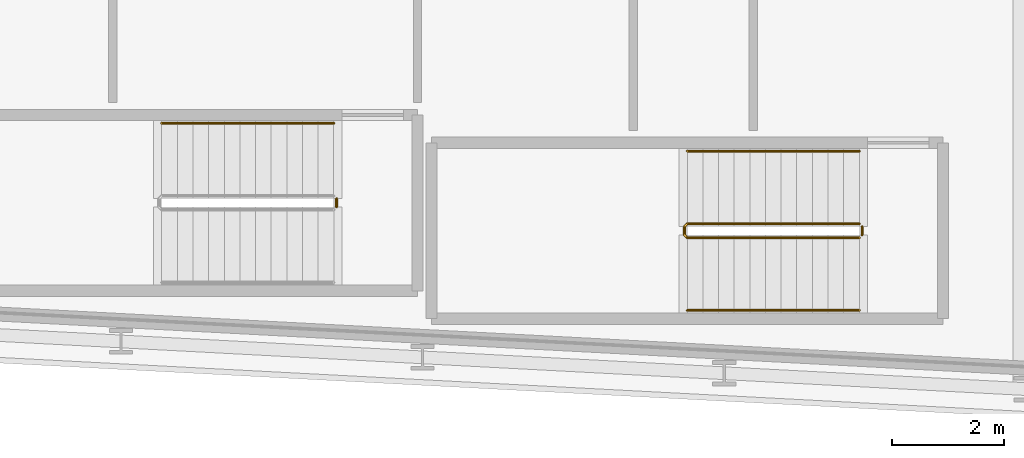
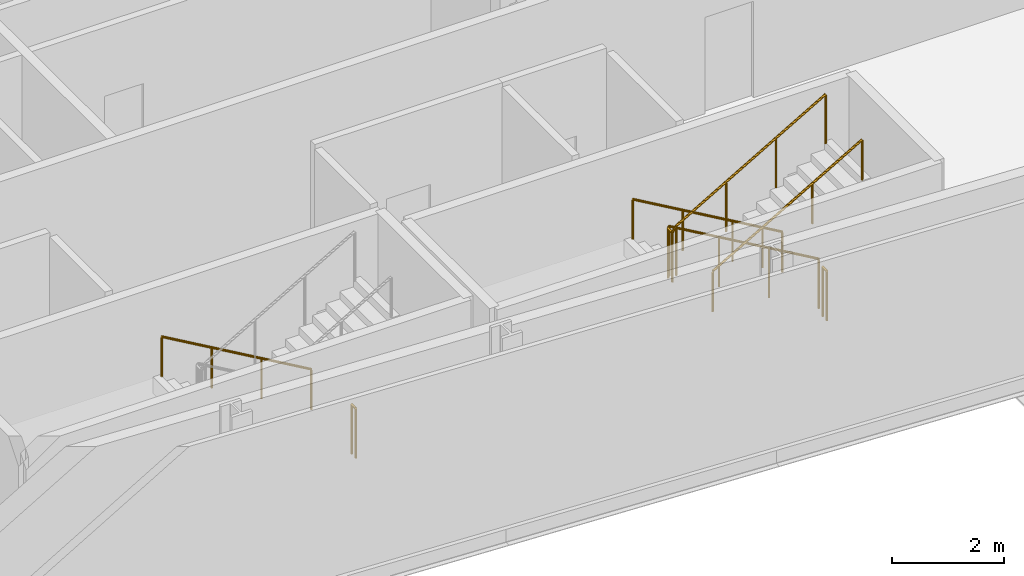
# One storey, part 24 of 27: 6 railings.
"""IFC4 building model written with IfcOpenShell, lengths in metres."""

from ifc_helpers import new_model, si_unit, direction, frame, origin, origin_2d, place, context, subcontext, project, spatial, circle, extrude, material, type_object, element, save


model = new_model("IFC4")

# Units and contexts
model_context = context("Model", 3, precision=1e-05, world=origin(), true_north=direction((0.0, 1.0)))
body_context = subcontext(model_context, "Body", "Model", "MODEL_VIEW")
ifc_project = project(units=[si_unit("LENGTHUNIT", "METRE"), si_unit("AREAUNIT", "SQUARE_METRE"), si_unit("VOLUMEUNIT", "CUBIC_METRE"), si_unit("PLANEANGLEUNIT", "RADIAN"), si_unit("MASSUNIT", "GRAM", prefix="KILO")], contexts=[model_context])

# Site, building, storey
site_placement = place(None, origin())
site = spatial("IfcSite", under=ifc_project, at=site_placement, CompositionType="ELEMENT")
building_placement = place(site_placement, origin())
building = spatial("IfcBuilding", under=site, at=building_placement, Name="Kheshtan School and Residences Tower", CompositionType="ELEMENT")
storey_placement = place(building_placement, frame((0.0, 0.0, 98.0)))
storey = spatial("IfcBuildingStorey", under=building, at=storey_placement, Name="L22", CompositionType="ELEMENT", Elevation=98.0)

# Railings
ifc_material_1 = material(Name="Stainless steel balustrade", Category="steel")
railing_type_1 = type_object("IfcRailingType", Name="Stair guard 1100", PredefinedType="GUARDRAIL", material=ifc_material_1)
railing_1_placement = place(storey_placement, frame((87.820068359375, 23.949951171875, 0.16259765625)))
element("IfcRailing", 1, at=railing_1_placement, inside=storey, type_object=railing_type_1, Name="L22 ST4 stair guard 1", PredefinedType="GUARDRAIL", context=body_context, shape_type="SweptSolid", body=[
    extrude(circle(Radius=0.02392578125, at=origin_2d()), frame((0.0, 0.0, 1.076171875), z_axis=(-0.864920483161, 0.0, 0.501908913857), x_axis=(0.0, -1.0, 0.0)), (0.0, 0.0, 1.0), 3.56103515625),
    extrude(circle(Radius=0.02392578125, at=origin_2d()), frame((-3.080078125, 0.0, 2.86328125), z_axis=(-0.707106781187, -0.707106781187, 0.0), x_axis=(0.707106781187, -0.707106781187, 0.0)), (0.0, 0.0, 1.0), 0.07080078125),
    extrude(circle(Radius=0.02392578125, at=origin_2d()), frame((-3.130126953125, -0.050048828125, 2.86328125), z_axis=(0.0, -1.0, 0.0), x_axis=(1.0, 0.0, 0.0)), (0.0, 0.0, 1.0), 0.14990234375),
    extrude(circle(Radius=0.02392578125, at=origin_2d()), frame((-3.130126953125, -0.199951171875, 2.86328125), z_axis=(0.282227285176, -0.282227285176, 0.916894497205), x_axis=(0.707106781187, 0.707106781187, 0.0)), (0.0, 0.0, 1.0), 0.17724609375),
    extrude(circle(Radius=0.02392578125, at=origin_2d()), frame((-3.080078125, -0.25, 3.02587890625), z_axis=(0.864920483161, 0.0, 0.501908913857), x_axis=(0.0, 1.0, 0.0)), (0.0, 0.0, 1.0), 3.56103515625),
    extrude(circle(Radius=0.02099609375, at=origin_2d()), origin(), (0.0, 0.0, 1.0), 1.052001953125),
    extrude(circle(Radius=0.02099609375, at=origin_2d()), frame((-1.026611328125, 0.0, 0.595703125)), (0.0, 0.0, 1.0), 1.052001953125),
    extrude(circle(Radius=0.02099609375, at=origin_2d()), frame((-2.053466796875, 0.0, 1.191650390625)), (0.0, 0.0, 1.0), 1.052001953125),
    extrude(circle(Radius=0.02099609375, at=origin_2d()), frame((-3.080078125, 0.0, 1.787353515625)), (0.0, 0.0, 1.0), 1.052001953125),
    extrude(circle(Radius=0.02099609375, at=origin_2d()), frame((-3.130126953125, -0.050048828125, 1.787353515625)), (0.0, 0.0, 1.0), 1.052001953125),
    extrude(circle(Radius=0.02099609375, at=origin_2d()), frame((-3.130126953125, -0.199951171875, 1.787353515625)), (0.0, 0.0, 1.0), 1.052001953125),
    extrude(circle(Radius=0.02099609375, at=origin_2d()), frame((-3.080078125, -0.25, 1.949951171875)), (0.0, 0.0, 1.0), 1.052001953125),
    extrude(circle(Radius=0.02099609375, at=origin_2d()), frame((-2.053466796875, -0.25, 2.545654296875)), (0.0, 0.0, 1.0), 1.052001953125),
    extrude(circle(Radius=0.02099609375, at=origin_2d()), frame((-1.026611328125, -0.25, 3.1416015625)), (0.0, 0.0, 1.0), 1.052001953125),
    extrude(circle(Radius=0.02099609375, at=origin_2d()), frame((0.0, -0.25, 3.7373046875)), (0.0, 0.0, 1.0), 1.052001953125),
])
for number, where, name in (
    (2, (87.8701171875, 23.89990234375, 0.0), "L22 ST4 stair guard 2"),
    (3, (78.4599609375, 24.39990234375, 0.0), "L22 ST5 stair guard 2"),
):
    element("IfcRailing", number, at=place(storey_placement, frame(where)), inside=storey, type_object=railing_type_1, Name=name, PredefinedType="GUARDRAIL", context=body_context, shape_type="SweptSolid", body=[
        extrude(circle(Radius=0.02392578125, at=origin_2d()), frame((0.0, 0.0, 1.076171875), z_axis=(0.0, -1.0, 0.0), x_axis=(1.0, 0.0, 0.0)), (0.0, 0.0, 1.0), 0.14990234375),
        extrude(circle(Radius=0.02099609375, at=origin_2d()), origin(), (0.0, 0.0, 1.0), 1.052001953125),
        extrude(circle(Radius=0.02099609375, at=origin_2d()), frame((0.0, -0.14990234375, 0.0)), (0.0, 0.0, 1.0), 1.052001953125),
    ])
ifc_material_2 = material(Name="Stainless steel handrail", Category="steel")
railing_type_2 = type_object("IfcRailingType", Name="Stair handrail 900", PredefinedType="HANDRAIL", material=ifc_material_2)
railing_2_placement = place(storey_placement, frame((87.820068359375, 25.25, 0.16259765625)))
element("IfcRailing", 4, at=railing_2_placement, inside=storey, type_object=railing_type_2, Name="L22 ST4 stair handrail 1", PredefinedType="HANDRAIL", context=body_context, shape_type="SweptSolid", body=[
    extrude(circle(Radius=0.02392578125, at=origin_2d()), frame((0.0, 0.0, 0.8759765625), z_axis=(-0.864920483161, 0.0, 0.501908913857), x_axis=(0.0, -1.0, 0.0)), (0.0, 0.0, 1.0), 3.56103515625),
    extrude(circle(Radius=0.02099609375, at=origin_2d()), origin(), (0.0, 0.0, 1.0), 0.851806640625),
    extrude(circle(Radius=0.02099609375, at=origin_2d()), frame((-1.026611328125, 0.0, 0.595703125)), (0.0, 0.0, 1.0), 0.851806640625),
    extrude(circle(Radius=0.02099609375, at=origin_2d()), frame((-2.053466796875, 0.0, 1.191650390625)), (0.0, 0.0, 1.0), 0.851806640625),
    extrude(circle(Radius=0.02099609375, at=origin_2d()), frame((-3.080078125, 0.0, 1.787353515625)), (0.0, 0.0, 1.0), 0.851806640625),
])
railing_3_placement = place(storey_placement, frame((84.739990234375, 22.39990234375, 2.112548828125)))
element("IfcRailing", 5, at=railing_3_placement, inside=storey, type_object=railing_type_2, Name="L22 ST4 stair handrail 2", PredefinedType="HANDRAIL", context=body_context, shape_type="SweptSolid", body=[
    extrude(circle(Radius=0.02392578125, at=origin_2d()), frame((0.0, 0.0, 0.8759765625), z_axis=(0.864920483161, 0.0, 0.501908913857), x_axis=(0.0, 1.0, 0.0)), (0.0, 0.0, 1.0), 3.56103515625),
    extrude(circle(Radius=0.02099609375, at=origin_2d()), origin(), (0.0, 0.0, 1.0), 0.851806640625),
    extrude(circle(Radius=0.02099609375, at=origin_2d()), frame((1.026611328125, 0.0, 0.595703125)), (0.0, 0.0, 1.0), 0.851806640625),
    extrude(circle(Radius=0.02099609375, at=origin_2d()), frame((2.053466796875, 0.0, 1.191650390625)), (0.0, 0.0, 1.0), 0.851806640625),
    extrude(circle(Radius=0.02099609375, at=origin_2d()), frame((3.080078125, 0.0, 1.787353515625)), (0.0, 0.0, 1.0), 0.851806640625),
])
railing_4_placement = place(storey_placement, frame((78.409912109375, 25.75, 0.16259765625)))
element("IfcRailing", 6, at=railing_4_placement, inside=storey, type_object=railing_type_2, Name="L22 ST5 stair handrail 1", PredefinedType="HANDRAIL", context=body_context, shape_type="SweptSolid", body=[
    extrude(circle(Radius=0.02392578125, at=origin_2d()), frame((0.0, 0.0, 0.8759765625), z_axis=(-0.864903211148, 0.0, 0.501938676878), x_axis=(0.0, -1.0, 0.0)), (0.0, 0.0, 1.0), 3.560791015625),
    extrude(circle(Radius=0.02099609375, at=origin_2d()), origin(), (0.0, 0.0, 1.0), 0.851806640625),
    extrude(circle(Radius=0.02099609375, at=origin_2d()), frame((-1.026611328125, 0.0, 0.595703125)), (0.0, 0.0, 1.0), 0.851806640625),
    extrude(circle(Radius=0.02099609375, at=origin_2d()), frame((-2.05322265625, 0.0, 1.191650390625)), (0.0, 0.0, 1.0), 0.851806640625),
    extrude(circle(Radius=0.02099609375, at=origin_2d()), frame((-3.079833984375, 0.0, 1.787353515625)), (0.0, 0.0, 1.0), 0.851806640625),
])

save(model, "model.ifc")
